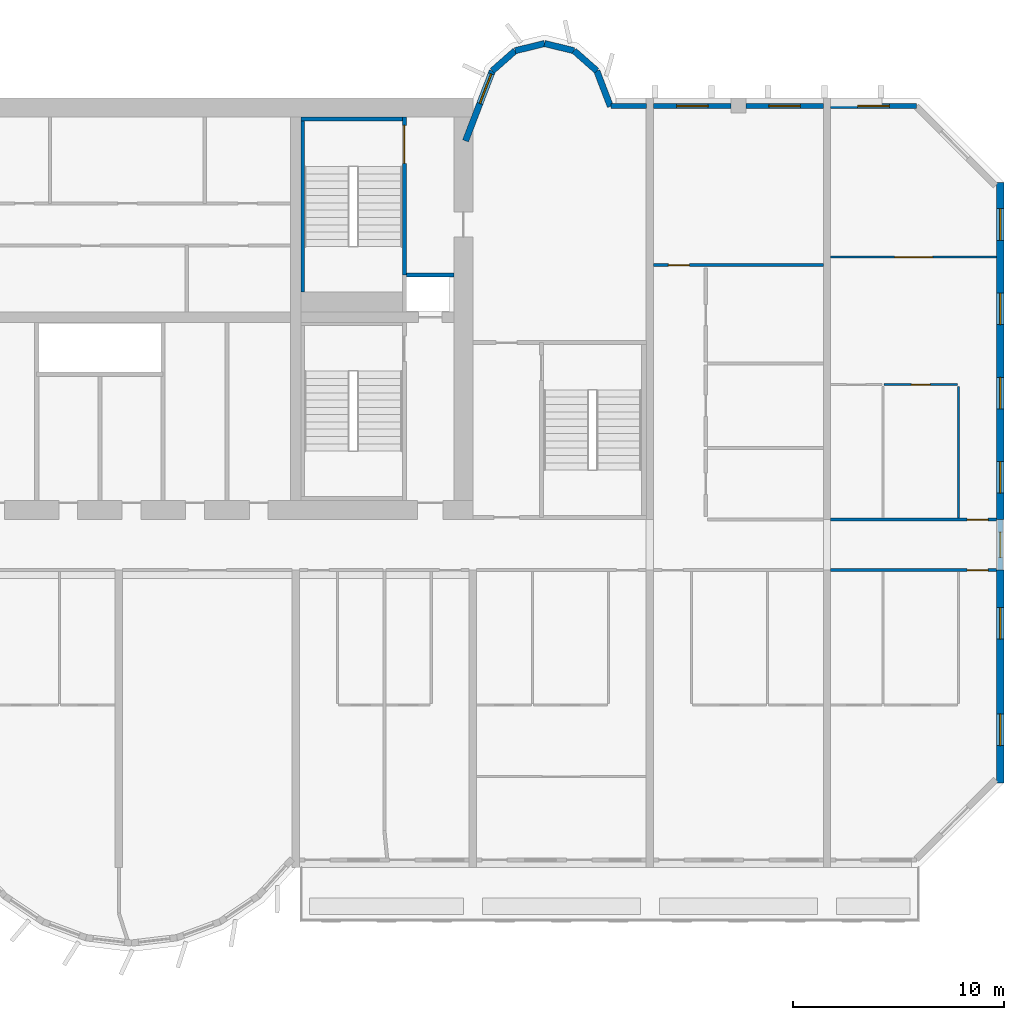
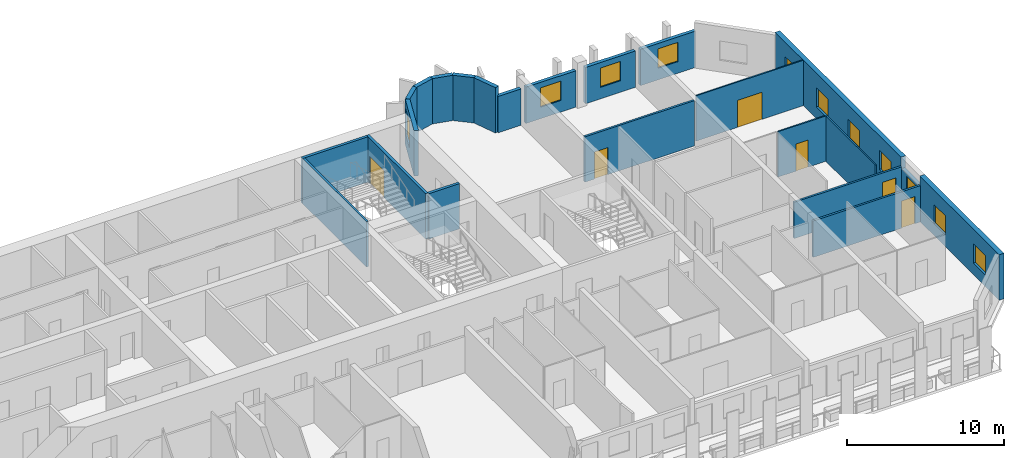
# One storey, part 10 of 14: 23 walls, 11 windows, 6 doors, 17 openings.
"""IFC4 building model written with IfcOpenShell, lengths in metres."""

from ifc_helpers import new_model, si_unit, direction, frame, frame_2d, origin, place, context, subcontext, project, spatial, rectangle, extrude, source, transform, mapped, material, layer, layer_set, type_object, element, fill, save


model = new_model("IFC4")

# Units and contexts
model_context = context("Model", 3, precision=1e-05, world=origin(), true_north=direction((0.0, 1.0)))
body_context = subcontext(model_context, "Body", "Model", "MODEL_VIEW")
ifc_project = project(units=[si_unit("LENGTHUNIT", "METRE"), si_unit("AREAUNIT", "SQUARE_METRE"), si_unit("VOLUMEUNIT", "CUBIC_METRE"), si_unit("PLANEANGLEUNIT", "RADIAN"), si_unit("MASSUNIT", "GRAM", prefix="KILO")], contexts=[model_context])

# Site, building, storey
site_placement = place(None, origin())
site = spatial("IfcSite", under=ifc_project, at=site_placement, CompositionType="ELEMENT")
building_placement = place(site_placement, origin())
building = spatial("IfcBuilding", under=site, at=building_placement, Name="Vanashikhar Sky Hotel", CompositionType="ELEMENT")
storey_placement = place(building_placement, frame((0.0, 0.0, 118.0)))
storey = spatial("IfcBuildingStorey", under=building, at=storey_placement, Name="L28", CompositionType="ELEMENT", Elevation=118.0)

# Wall, openings, windows
ifc_material_1 = material(Name="Concrete M70", Category="concrete")
ifc_layer_1 = layer(ifc_material_1, 0.35009765625)
ifc_layer_set_1 = layer_set([ifc_layer_1], Name="RC shear wall 350 Concrete M70")
wall_type_1 = type_object("IfcWallType", Name="RC shear wall 350 Concrete M70", PredefinedType="SHEAR", material=ifc_layer_set_1)
shared_shape_1 = source(origin(), body_context, "Body", "SweptSolid", [
    extrude(rectangle(XDim=10.10009765625, YDim=0.35009765625, at=frame_2d((5.050048828125, 0.0))), origin(), (0.0, 0.0, 1.0), 3.52001953125),
])
wall_1_placement = place(storey_placement, frame((100.625, 9.5, 0.0), z_axis=(0.0, 0.0, 1.0), x_axis=(0.0, 1.0, 0.0)))
wall_1 = element("IfcWall", 1, at=wall_1_placement, inside=storey, type_object=wall_type_1, Name="CW-L28-XW13-1", PredefinedType="SHEAR", context=body_context, shape_type="MappedRepresentation", body=[
    mapped(shared_shape_1, transform((0.0, 0.0, 0.0), scale=1.0)),
])
shared_shape_2 = source(origin(), body_context, "Body", "SweptSolid", [
    extrude(rectangle(XDim=1.5, YDim=1.5, at=frame_2d((0.75, 0.75))), frame((0.0, 0.18505859375, 0.0), z_axis=(0.0, -1.0, 0.0), x_axis=(1.0, 0.0, 0.0)), (0.0, 0.0, 1.0), 0.3701171875),
])
opening_1_placement = place(wall_1_placement, frame((1.77490234375, 0.0, 0.89990234375)))
opening_1 = element("IfcOpeningElement", 2, at=opening_1_placement, cuts=wall_1, Name="Opening WN-1", PredefinedType="OPENING", context=body_context, shape_type="MappedRepresentation", body=[
    mapped(shared_shape_2, transform((0.0, 0.0, 0.0), scale=1.0)),
])
opening_2_placement = place(wall_1_placement, frame((6.824951171875, 0.0, 0.89990234375)))
opening_2 = element("IfcOpeningElement", 3, at=opening_2_placement, cuts=wall_1, Name="Opening WN-1", PredefinedType="OPENING", context=body_context, shape_type="MappedRepresentation", body=[
    mapped(shared_shape_2, transform((0.0, 0.0, 0.0), scale=1.0)),
])
ifc_material_2 = material(Name="Glass", Category="glass")
window_type_1 = type_object("IfcWindowType", Name="Window 1500 x 1500", PartitioningType="SINGLE_PANEL", PredefinedType="WINDOW", material=ifc_material_2)
shared_shape_3 = source(origin(), body_context, "Body", "SweptSolid", [
    extrude(rectangle(XDim=1.5, YDim=1.5, at=frame_2d((0.75, 0.75))), frame((0.0, 0.030029296875, 0.0), z_axis=(0.0, -1.0, 0.0), x_axis=(1.0, 0.0, 0.0)), (0.0, 0.0, 1.0), 0.06005859375),
])
window_1_placement = place(opening_1_placement, origin())
window_1 = element("IfcWindow", 4, at=window_1_placement, inside=storey, type_object=window_type_1, Name="Window WN-1", OverallHeight=1.5, OverallWidth=1.5, PartitioningType="SINGLE_PANEL", PredefinedType="WINDOW", context=body_context, shape_type="MappedRepresentation", body=[
    mapped(shared_shape_3, transform((0.0, 0.0, 0.0), scale=1.0)),
])
fill(opening_1, window_1)
window_2_placement = place(opening_2_placement, origin())
window_2 = element("IfcWindow", 5, at=window_2_placement, inside=storey, type_object=window_type_1, Name="Window WN-1", OverallHeight=1.5, OverallWidth=1.5, PartitioningType="SINGLE_PANEL", PredefinedType="WINDOW", context=body_context, shape_type="MappedRepresentation", body=[
    mapped(shared_shape_3, transform((0.0, 0.0, 0.0), scale=1.0)),
])
fill(opening_2, window_2)

shared_shape_4 = source(origin(), body_context, "Body", "SweptSolid", [
    extrude(rectangle(XDim=16.0, YDim=0.35009765625, at=frame_2d((8.0, 0.0))), origin(), (0.0, 0.0, 1.0), 3.52001953125),
])
wall_2_placement = place(storey_placement, frame((100.625, 22.0, 0.0), z_axis=(0.0, 0.0, 1.0), x_axis=(0.0, 1.0, 0.0)))
wall_2 = element("IfcWall", 6, at=wall_2_placement, inside=storey, type_object=wall_type_1, Name="CW-L28-XW13-2", PredefinedType="SHEAR", context=body_context, shape_type="MappedRepresentation", body=[
    mapped(shared_shape_4, transform((0.0, 0.0, 0.0), scale=1.0)),
])
opening_3_placement = place(wall_2_placement, frame((1.25, 0.0, 0.89990234375)))
opening_3 = element("IfcOpeningElement", 7, at=opening_3_placement, cuts=wall_2, Name="Opening WN-1", PredefinedType="OPENING", context=body_context, shape_type="MappedRepresentation", body=[
    mapped(shared_shape_2, transform((0.0, 0.0, 0.0), scale=1.0)),
])
opening_4_placement = place(wall_2_placement, frame((5.25, 0.0, 0.89990234375)))
opening_4 = element("IfcOpeningElement", 8, at=opening_4_placement, cuts=wall_2, Name="Opening WN-1", PredefinedType="OPENING", context=body_context, shape_type="MappedRepresentation", body=[
    mapped(shared_shape_2, transform((0.0, 0.0, 0.0), scale=1.0)),
])
opening_5_placement = place(wall_2_placement, frame((9.25, 0.0, 0.89990234375)))
opening_5 = element("IfcOpeningElement", 9, at=opening_5_placement, cuts=wall_2, Name="Opening WN-1", PredefinedType="OPENING", context=body_context, shape_type="MappedRepresentation", body=[
    mapped(shared_shape_2, transform((0.0, 0.0, 0.0), scale=1.0)),
])
opening_6_placement = place(wall_2_placement, frame((13.25, 0.0, 0.89990234375)))
opening_6 = element("IfcOpeningElement", 10, at=opening_6_placement, cuts=wall_2, Name="Opening WN-1", PredefinedType="OPENING", context=body_context, shape_type="MappedRepresentation", body=[
    mapped(shared_shape_2, transform((0.0, 0.0, 0.0), scale=1.0)),
])
window_3_placement = place(opening_3_placement, origin())
window_3 = element("IfcWindow", 11, at=window_3_placement, inside=storey, type_object=window_type_1, Name="Window WN-1", OverallHeight=1.5, OverallWidth=1.5, PartitioningType="SINGLE_PANEL", PredefinedType="WINDOW", context=body_context, shape_type="MappedRepresentation", body=[
    mapped(shared_shape_3, transform((0.0, 0.0, 0.0), scale=1.0)),
])
fill(opening_3, window_3)
window_4_placement = place(opening_4_placement, origin())
window_4 = element("IfcWindow", 12, at=window_4_placement, inside=storey, type_object=window_type_1, Name="Window WN-1", OverallHeight=1.5, OverallWidth=1.5, PartitioningType="SINGLE_PANEL", PredefinedType="WINDOW", context=body_context, shape_type="MappedRepresentation", body=[
    mapped(shared_shape_3, transform((0.0, 0.0, 0.0), scale=1.0)),
])
fill(opening_4, window_4)
window_5_placement = place(opening_5_placement, origin())
window_5 = element("IfcWindow", 13, at=window_5_placement, inside=storey, type_object=window_type_1, Name="Window WN-1", OverallHeight=1.5, OverallWidth=1.5, PartitioningType="SINGLE_PANEL", PredefinedType="WINDOW", context=body_context, shape_type="MappedRepresentation", body=[
    mapped(shared_shape_3, transform((0.0, 0.0, 0.0), scale=1.0)),
])
fill(opening_5, window_5)
window_6_placement = place(opening_6_placement, origin())
window_6 = element("IfcWindow", 14, at=window_6_placement, inside=storey, type_object=window_type_1, Name="Window WN-1", OverallHeight=1.5, OverallWidth=1.5, PartitioningType="SINGLE_PANEL", PredefinedType="WINDOW", context=body_context, shape_type="MappedRepresentation", body=[
    mapped(shared_shape_3, transform((0.0, 0.0, 0.0), scale=1.0)),
])
fill(opening_6, window_6)

# Wall, opening, window
ifc_material_3 = material(Name="Concrete M50", Category="concrete")
ifc_layer_2 = layer(ifc_material_3, 0.300048828125)
ifc_layer_set_2 = layer_set([ifc_layer_2], Name="Lobe wall 300")
wall_type_2 = type_object("IfcWallType", Name="Lobe wall 300", PredefinedType="SOLIDWALL", material=ifc_layer_set_2)
shared_shape_5 = source(origin(), body_context, "Body", "SweptSolid", [
    extrude(rectangle(XDim=3.55908203125, YDim=0.300048828125, at=frame_2d((1.779541015625, 0.0))), origin(), (0.0, 0.0, 1.0), 3.52001953125),
])
wall_3_placement = place(storey_placement, frame((76.5234375, 43.2919921875, 0.0), z_axis=(0.0, 0.0, 1.0), x_axis=(-0.35779745313, -0.933799219604, 0.0)))
wall_3 = element("IfcWall", 15, at=wall_3_placement, inside=storey, type_object=wall_type_2, Name="Lobe wall", PredefinedType="SOLIDWALL", context=body_context, shape_type="MappedRepresentation", body=[
    mapped(shared_shape_5, transform((0.0, 0.0, 0.0), scale=1.0)),
])
shared_shape_6 = source(origin(), body_context, "Body", "SweptSolid", [
    extrude(rectangle(XDim=1.5, YDim=2.0, at=frame_2d((0.75, 1.0))), frame((0.0, 0.16015625, 0.0), z_axis=(0.0, -1.0, 0.0), x_axis=(1.0, 0.0, 0.0)), (0.0, 0.0, 1.0), 0.320068359375),
])
opening_7_placement = place(wall_3_placement, frame((0.156005859375, 0.0, 0.89990234375)))
opening_7 = element("IfcOpeningElement", 16, at=opening_7_placement, cuts=wall_3, Name="Opening WN-2", PredefinedType="OPENING", context=body_context, shape_type="MappedRepresentation", body=[
    mapped(shared_shape_6, transform((0.0, 0.0, 0.0), scale=1.0)),
])
window_type_2 = type_object("IfcWindowType", Name="Lobe window 1500 x 2000", PartitioningType="SINGLE_PANEL", PredefinedType="WINDOW", material=ifc_material_2)
shared_shape_7 = source(origin(), body_context, "Body", "SweptSolid", [
    extrude(rectangle(XDim=1.5, YDim=2.0, at=frame_2d((0.75, 1.0))), frame((0.0, 0.030029296875, 0.0), z_axis=(0.0, -1.0, 0.0), x_axis=(1.0, 0.0, 0.0)), (0.0, 0.0, 1.0), 0.06005859375),
])
window_7_placement = place(opening_7_placement, origin())
window_7 = element("IfcWindow", 17, at=window_7_placement, inside=storey, type_object=window_type_2, Name="Window WN-2", OverallHeight=2.0, OverallWidth=1.5, PartitioningType="SINGLE_PANEL", PredefinedType="WINDOW", context=body_context, shape_type="MappedRepresentation", body=[
    mapped(shared_shape_7, transform((0.0, 0.0, 0.0), scale=1.0)),
])
fill(opening_7, window_7)

# Walls
shared_shape_8 = source(origin(), body_context, "Body", "SweptSolid", [
    extrude(rectangle(XDim=1.438720703125, YDim=0.300048828125, at=frame_2d((0.71923828125, 0.0))), origin(), (0.0, 0.0, 1.0), 3.52001953125),
])
for number, where, z_axis, x_axis, name in (
    (18, (80.397216796875, 44.2451171875, 0.0), (0.0, 0.0, 1.0), (-0.971161932466, 0.238420848351, 0.0), "Lobe wall"),
    (19, (79.0, 44.588134765625, 0.0), (0.0, 0.0, 1.0), (-0.971161932466, -0.238420848351, 0.0), "Lobe wall"),
):
    element("IfcWall", number, at=place(storey_placement, frame(where, z_axis=z_axis, x_axis=x_axis)), inside=storey, type_object=wall_type_2, Name=name, PredefinedType="SOLIDWALL", context=body_context, shape_type="MappedRepresentation", body=[
        mapped(shared_shape_8, transform((0.0, 0.0, 0.0), scale=1.0)),
    ])
shared_shape_9 = source(origin(), body_context, "Body", "SweptSolid", [
    extrude(rectangle(XDim=1.43994140625, YDim=0.300048828125, at=frame_2d((0.719970703125, 0.0))), origin(), (0.0, 0.0, 1.0), 3.52001953125),
])
for number, where, z_axis, x_axis, name in (
    (20, (81.4765625, 43.2919921875, 0.0), (0.0, 0.0, 1.0), (-0.74957555648, 0.661918790432, 0.0), "Lobe wall"),
    (21, (77.602783203125, 44.2451171875, 0.0), (0.0, 0.0, 1.0), (-0.74957555648, -0.661918790432, 0.0), "Lobe wall"),
):
    element("IfcWall", number, at=place(storey_placement, frame(where, z_axis=z_axis, x_axis=x_axis)), inside=storey, type_object=wall_type_2, Name=name, PredefinedType="SOLIDWALL", context=body_context, shape_type="MappedRepresentation", body=[
        mapped(shared_shape_9, transform((0.0, 0.0, 0.0), scale=1.0)),
    ])
shared_shape_10 = source(origin(), body_context, "Body", "SweptSolid", [
    extrude(rectangle(XDim=1.81201171875, YDim=0.300048828125, at=frame_2d((0.906005859375, 0.0))), origin(), (0.0, 0.0, 1.0), 3.52001953125),
])
wall_4_placement = place(storey_placement, frame((82.125, 41.60009765625, 0.0), z_axis=(0.0, 0.0, 1.0), x_axis=(-0.357877270961, 0.93376863244, 0.0)))
element("IfcWall", 22, at=wall_4_placement, inside=storey, type_object=wall_type_2, Name="Lobe wall", PredefinedType="SOLIDWALL", context=body_context, shape_type="MappedRepresentation", body=[
    mapped(shared_shape_10, transform((0.0, 0.0, 0.0), scale=1.0)),
])

# Wall, opening, window
ifc_layer_3 = layer(ifc_material_3, 0.25)
ifc_layer_set_3 = layer_set([ifc_layer_3], Name="Rear and end board-marked wall 250")
wall_type_3 = type_object("IfcWallType", Name="Rear and end board-marked wall 250", PredefinedType="SOLIDWALL", material=ifc_layer_set_3)
shared_shape_11 = source(origin(), body_context, "Body", "SweptSolid", [
    extrude(rectangle(XDim=2.39990234375, YDim=0.25, at=frame_2d((1.199951171875, 0.0))), origin(), (0.0, 0.0, 1.0), 2.6201171875),
])
wall_5_placement = place(storey_placement, frame((100.625, 19.60009765625, 0.0), z_axis=(0.0, 0.0, 1.0), x_axis=(0.0, 1.0, 0.0)))
wall_5 = element("IfcWall", 23, at=wall_5_placement, inside=storey, type_object=wall_type_3, Name="End corridor infill wall", PredefinedType="SOLIDWALL", context=body_context, shape_type="MappedRepresentation", body=[
    mapped(shared_shape_11, transform((0.0, 0.0, 0.0), scale=1.0)),
])
shared_shape_12 = source(origin(), body_context, "Body", "SweptSolid", [
    extrude(rectangle(XDim=1.199951171875, YDim=1.5, at=frame_2d((0.60009765625, 0.75))), frame((0.0, 0.135009765625, 0.0), z_axis=(0.0, -1.0, 0.0), x_axis=(1.0, 0.0, 0.0)), (0.0, 0.0, 1.0), 0.27001953125),
])
opening_8_placement = place(wall_5_placement, frame((0.60009765625, 0.0, 0.89990234375)))
opening_8 = element("IfcOpeningElement", 24, at=opening_8_placement, cuts=wall_5, Name="Opening WN-3", PredefinedType="OPENING", context=body_context, shape_type="MappedRepresentation", body=[
    mapped(shared_shape_12, transform((0.0, 0.0, 0.0), scale=1.0)),
])
window_type_3 = type_object("IfcWindowType", Name="Corridor end window 1200 x 1500", PartitioningType="SINGLE_PANEL", PredefinedType="WINDOW", material=ifc_material_2)
shared_shape_13 = source(origin(), body_context, "Body", "SweptSolid", [
    extrude(rectangle(XDim=1.199951171875, YDim=1.5, at=frame_2d((0.60009765625, 0.75))), frame((0.0, 0.030029296875, 0.0), z_axis=(0.0, -1.0, 0.0), x_axis=(1.0, 0.0, 0.0)), (0.0, 0.0, 1.0), 0.06005859375),
])
window_8_placement = place(opening_8_placement, origin())
window_8 = element("IfcWindow", 25, at=window_8_placement, inside=storey, type_object=window_type_3, Name="Window WN-3", OverallHeight=1.5, OverallWidth=1.199951171875, PartitioningType="SINGLE_PANEL", PredefinedType="WINDOW", context=body_context, shape_type="MappedRepresentation", body=[
    mapped(shared_shape_13, transform((0.0, 0.0, 0.0), scale=1.0)),
])
fill(opening_8, window_8)

shared_shape_14 = source(origin(), body_context, "Body", "SweptSolid", [
    extrude(rectangle(XDim=4.06982421875, YDim=0.25, at=frame_2d((2.034912109375, 0.0))), origin(), (0.0, 0.0, 1.0), 2.820068359375),
])
wall_6_placement = place(storey_placement, frame((96.644775390625, 41.625, 0.0), z_axis=(0.0, 0.0, 1.0), x_axis=(-1.0, 0.0, 0.0)))
wall_6 = element("IfcWall", 26, at=wall_6_placement, inside=storey, type_object=wall_type_3, Name="Rear board-marked wall", PredefinedType="SOLIDWALL", context=body_context, shape_type="MappedRepresentation", body=[
    mapped(shared_shape_14, transform((0.0, 0.0, 0.0), scale=1.0)),
])
shared_shape_15 = source(origin(), body_context, "Body", "SweptSolid", [
    extrude(rectangle(XDim=1.5, YDim=1.5, at=frame_2d((0.75, 0.75))), frame((0.0, 0.135009765625, 0.0), z_axis=(0.0, -1.0, 0.0), x_axis=(1.0, 0.0, 0.0)), (0.0, 0.0, 1.0), 0.27001953125),
])
opening_9_placement = place(wall_6_placement, frame((1.284912109375, 0.0, 0.89990234375)))
opening_9 = element("IfcOpeningElement", 27, at=opening_9_placement, cuts=wall_6, Name="Opening WN-1", PredefinedType="OPENING", context=body_context, shape_type="MappedRepresentation", body=[
    mapped(shared_shape_15, transform((0.0, 0.0, 0.0), scale=1.0)),
])
window_9_placement = place(opening_9_placement, origin())
window_9 = element("IfcWindow", 28, at=window_9_placement, inside=storey, type_object=window_type_1, Name="Window WN-1", OverallHeight=1.5, OverallWidth=1.5, PartitioningType="SINGLE_PANEL", PredefinedType="WINDOW", context=body_context, shape_type="MappedRepresentation", body=[
    mapped(shared_shape_3, transform((0.0, 0.0, 0.0), scale=1.0)),
])
fill(opening_9, window_9)

shared_shape_16 = source(origin(), body_context, "Body", "SweptSolid", [
    extrude(rectangle(XDim=3.675048828125, YDim=0.25, at=frame_2d((1.83740234375, 0.0))), origin(), (0.0, 0.0, 1.0), 2.820068359375),
])
wall_7_placement = place(storey_placement, frame((87.85009765625, 41.625, 0.0), z_axis=(0.0, 0.0, 1.0), x_axis=(-1.0, 0.0, 0.0)))
wall_7 = element("IfcWall", 29, at=wall_7_placement, inside=storey, type_object=wall_type_3, Name="Rear board-marked wall", PredefinedType="SOLIDWALL", context=body_context, shape_type="MappedRepresentation", body=[
    mapped(shared_shape_16, transform((0.0, 0.0, 0.0), scale=1.0)),
])
opening_10_placement = place(wall_7_placement, frame((1.08740234375, 0.0, 0.89990234375)))
opening_10 = element("IfcOpeningElement", 30, at=opening_10_placement, cuts=wall_7, Name="Opening WN-1", PredefinedType="OPENING", context=body_context, shape_type="MappedRepresentation", body=[
    mapped(shared_shape_15, transform((0.0, 0.0, 0.0), scale=1.0)),
])
window_10_placement = place(opening_10_placement, origin())
window_10 = element("IfcWindow", 31, at=window_10_placement, inside=storey, type_object=window_type_1, Name="Window WN-1", OverallHeight=1.5, OverallWidth=1.5, PartitioningType="SINGLE_PANEL", PredefinedType="WINDOW", context=body_context, shape_type="MappedRepresentation", body=[
    mapped(shared_shape_3, transform((0.0, 0.0, 0.0), scale=1.0)),
])
fill(opening_10, window_10)

wall_8_placement = place(storey_placement, frame((92.22509765625, 41.625, 0.0), z_axis=(0.0, 0.0, 1.0), x_axis=(-1.0, 0.0, 0.0)))
wall_8 = element("IfcWall", 32, at=wall_8_placement, inside=storey, type_object=wall_type_3, Name="Rear board-marked wall", PredefinedType="SOLIDWALL", context=body_context, shape_type="MappedRepresentation", body=[
    mapped(shared_shape_16, transform((0.0, 0.0, 0.0), scale=1.0)),
])
opening_11_placement = place(wall_8_placement, frame((1.08740234375, 0.0, 0.89990234375)))
opening_11 = element("IfcOpeningElement", 33, at=opening_11_placement, cuts=wall_8, Name="Opening WN-1", PredefinedType="OPENING", context=body_context, shape_type="MappedRepresentation", body=[
    mapped(shared_shape_15, transform((0.0, 0.0, 0.0), scale=1.0)),
])
window_11_placement = place(opening_11_placement, origin())
window_11 = element("IfcWindow", 34, at=window_11_placement, inside=storey, type_object=window_type_1, Name="Window WN-1", OverallHeight=1.5, OverallWidth=1.5, PartitioningType="SINGLE_PANEL", PredefinedType="WINDOW", context=body_context, shape_type="MappedRepresentation", body=[
    mapped(shared_shape_3, transform((0.0, 0.0, 0.0), scale=1.0)),
])
fill(opening_11, window_11)

# Wall
shared_shape_17 = source(origin(), body_context, "Body", "SweptSolid", [
    extrude(rectangle(XDim=1.682861328125, YDim=0.25, at=frame_2d((0.84130859375, 0.0))), origin(), (0.0, 0.0, 1.0), 2.820068359375),
])
wall_9_placement = place(storey_placement, frame((83.824951171875, 41.625, 0.0), z_axis=(0.0, 0.0, 1.0), x_axis=(-1.0, 0.0, 0.0)))
element("IfcWall", 35, at=wall_9_placement, inside=storey, type_object=wall_type_3, Name="Rear board-marked wall", PredefinedType="SOLIDWALL", context=body_context, shape_type="MappedRepresentation", body=[
    mapped(shared_shape_17, transform((0.0, 0.0, 0.0), scale=1.0)),
])

# Wall, opening, door
ifc_layer_4 = layer(ifc_material_3, 0.199951171875)
ifc_layer_set_4 = layer_set([ifc_layer_4], Name="Stair wall 200")
wall_type_4 = type_object("IfcWallType", Name="Stair wall 200", PredefinedType="SOLIDWALL", material=ifc_layer_set_4)
shared_shape_18 = source(origin(), body_context, "Body", "SweptSolid", [
    extrude(rectangle(XDim=7.5, YDim=0.199951171875, at=frame_2d((3.75, 0.0))), origin(), (0.0, 0.0, 1.0), 3.52001953125),
])
wall_10_placement = place(storey_placement, frame((72.35009765625, 33.60009765625, 0.0), z_axis=(0.0, 0.0, 1.0), x_axis=(0.0, 1.0, 0.0)))
wall_10 = element("IfcWall", 36, at=wall_10_placement, inside=storey, type_object=wall_type_4, Name="Stair wall 200", PredefinedType="SOLIDWALL", context=body_context, shape_type="MappedRepresentation", body=[
    mapped(shared_shape_18, transform((0.0, 0.0, 0.0), scale=1.0)),
])
shared_shape_19 = source(origin(), body_context, "Body", "SweptSolid", [
    extrude(rectangle(XDim=1.800048828125, YDim=2.10009765625, at=frame_2d((0.89990234375, 1.050048828125))), frame((0.0, 0.10986328125, 0.0), z_axis=(0.0, -1.0, 0.0), x_axis=(1.0, 0.0, 0.0)), (0.0, 0.0, 1.0), 0.219970703125),
])
opening_12_placement = place(wall_10_placement, frame((5.300048828125, 0.0, 0.0)))
opening_12 = element("IfcOpeningElement", 37, at=opening_12_placement, cuts=wall_10, Name="Opening DC-1-A", PredefinedType="OPENING", context=body_context, shape_type="MappedRepresentation", body=[
    mapped(shared_shape_19, transform((0.0, 0.0, 0.0), scale=1.0)),
])
ifc_material_4 = material(Name="Steel", Category="steel")
door_type_1 = type_object("IfcDoorType", Name="Stair door 1800 FD120", OperationType="NOTDEFINED", PredefinedType="DOOR", material=ifc_material_4)
shared_shape_20 = source(origin(), body_context, "Body", "SweptSolid", [
    extrude(rectangle(XDim=1.800048828125, YDim=2.10009765625, at=frame_2d((0.89990234375, 1.050048828125))), frame((0.0, 0.02490234375, 0.0), z_axis=(0.0, -1.0, 0.0), x_axis=(1.0, 0.0, 0.0)), (0.0, 0.0, 1.0), 0.050048828125),
])
door_1_placement = place(opening_12_placement, origin())
door_1 = element("IfcDoor", 38, at=door_1_placement, inside=storey, type_object=door_type_1, Name="Stair door 1800 FD120", OperationType="SINGLE_SWING_LEFT", OverallHeight=2.10009765625, OverallWidth=1.800048828125, PredefinedType="DOOR", context=body_context, shape_type="MappedRepresentation", body=[
    mapped(shared_shape_20, transform((0.0, 0.0, 0.0), scale=1.0)),
])
fill(opening_12, door_1)

# Walls
ifc_material_5 = material(Name="Concrete M40", Category="concrete")
ifc_layer_5 = layer(ifc_material_5, 0.199951171875)
ifc_layer_set_5 = layer_set([ifc_layer_5], Name="Shaft wall 200")
wall_type_5 = type_object("IfcWallType", Name="Shaft wall 200", PredefinedType="SOLIDWALL", material=ifc_layer_set_5)
shared_shape_21 = source(origin(), body_context, "Body", "SweptSolid", [
    extrude(rectangle(XDim=2.25, YDim=0.199951171875, at=frame_2d((1.125, 0.0))), origin(), (0.0, 0.0, 1.0), 3.52001953125),
])
wall_11_placement = place(storey_placement, frame((72.449951171875, 33.60009765625, 0.0), z_axis=(0.0, 0.0, 1.0), x_axis=(1.0, 0.0, 0.0)))
element("IfcWall", 39, at=wall_11_placement, inside=storey, type_object=wall_type_5, Name="Shaft wall 200", PredefinedType="SOLIDWALL", context=body_context, shape_type="MappedRepresentation", body=[
    mapped(shared_shape_21, transform((0.0, 0.0, 0.0), scale=1.0)),
])
ifc_layer_6 = layer(ifc_material_3, 0.199951171875)
ifc_layer_set_6 = layer_set([ifc_layer_6], Name="Stair infill wall 200")
wall_type_6 = type_object("IfcWallType", Name="Stair infill wall 200", PredefinedType="SOLIDWALL", material=ifc_layer_set_6)
shared_shape_22 = source(origin(), body_context, "Body", "SweptSolid", [
    extrude(rectangle(XDim=4.800048828125, YDim=0.199951171875, at=frame_2d((2.39990234375, 0.0))), origin(), (0.0, 0.0, 1.0), 3.52001953125),
])
wall_12_placement = place(storey_placement, frame((67.449951171875, 41.0, 0.0), z_axis=(0.0, 0.0, 1.0), x_axis=(1.0, 0.0, 0.0)))
element("IfcWall", 40, at=wall_12_placement, inside=storey, type_object=wall_type_6, Name="Stair infill wall 200", PredefinedType="SOLIDWALL", context=body_context, shape_type="MappedRepresentation", body=[
    mapped(shared_shape_22, transform((0.0, 0.0, 0.0), scale=1.0)),
])
ifc_layer_7 = layer(ifc_material_3, 0.14990234375)
ifc_layer_set_7 = layer_set([ifc_layer_7], Name="Stair infill wall 150")
wall_type_7 = type_object("IfcWallType", Name="Stair infill wall 150", PredefinedType="SOLIDWALL", material=ifc_layer_set_7)
shared_shape_23 = source(origin(), body_context, "Body", "SweptSolid", [
    extrude(rectangle(XDim=8.099853515625, YDim=0.14990234375, at=frame_2d((4.0498046875, 0.0))), origin(), (0.0, 0.0, 1.0), 3.52001953125),
])
wall_13_placement = place(storey_placement, frame((67.52490234375, 32.800048828125, 0.0), z_axis=(0.0, 0.0, 1.0), x_axis=(0.0, 1.0, 0.0)))
element("IfcWall", 41, at=wall_13_placement, inside=storey, type_object=wall_type_7, Name="Stair infill wall 150", PredefinedType="SOLIDWALL", context=body_context, shape_type="MappedRepresentation", body=[
    mapped(shared_shape_23, transform((0.0, 0.0, 0.0), scale=1.0)),
])

# Wall, opening, door
ifc_material_6 = material(Name="Gypsum plasterboard partition")
ifc_layer_8 = layer(ifc_material_6, 0.10009765625)
ifc_layer_set_8 = layer_set([ifc_layer_8], Name="Wet room partition 100")
wall_type_8 = type_object("IfcWallType", Name="Wet room partition 100", PredefinedType="PARTITIONING", material=ifc_layer_set_8)
shared_shape_24 = source(origin(), body_context, "Body", "SweptSolid", [
    extrude(rectangle(XDim=3.5, YDim=0.10009765625, at=frame_2d((1.75, 0.0))), origin(), (0.0, 0.0, 1.0), 3.52001953125),
])
wall_14_placement = place(storey_placement, frame((95.10009765625, 28.39990234375, 0.0), z_axis=(0.0, 0.0, 1.0), x_axis=(1.0, 0.0, 0.0)))
wall_14 = element("IfcWall", 42, at=wall_14_placement, inside=storey, type_object=wall_type_8, Name="W-L28-PW080", PredefinedType="PARTITIONING", context=body_context, shape_type="MappedRepresentation", body=[
    mapped(shared_shape_24, transform((0.0, 0.0, 0.0), scale=1.0)),
])
shared_shape_25 = source(origin(), body_context, "Body", "SweptSolid", [
    extrude(rectangle(XDim=0.89990234375, YDim=2.10009765625, at=frame_2d((0.449951171875, 1.050048828125))), frame((0.0, 0.06005859375, 0.0), z_axis=(0.0, -1.0, 0.0), x_axis=(1.0, 0.0, 0.0)), (0.0, 0.0, 1.0), 0.1201171875),
])
opening_13_placement = place(wall_14_placement, frame((1.300048828125, 0.0, 0.0)))
opening_13 = element("IfcOpeningElement", 43, at=opening_13_placement, cuts=wall_14, Name="Opening D-02", PredefinedType="OPENING", context=body_context, shape_type="MappedRepresentation", body=[
    mapped(shared_shape_25, transform((0.0, 0.0, 0.0), scale=1.0)),
])
ifc_material_7 = material(Name="Timber door", Category="wood")
door_type_2 = type_object("IfcDoorType", Name="Internal door 900", OperationType="NOTDEFINED", PredefinedType="DOOR", material=ifc_material_7)
shared_shape_26 = source(origin(), body_context, "Body", "SweptSolid", [
    extrude(rectangle(XDim=0.89990234375, YDim=2.10009765625, at=frame_2d((0.449951171875, 1.050048828125))), frame((0.0, 0.02490234375, 0.0), z_axis=(0.0, -1.0, 0.0), x_axis=(1.0, 0.0, 0.0)), (0.0, 0.0, 1.0), 0.050048828125),
])
door_2_placement = place(opening_13_placement, origin())
door_2 = element("IfcDoor", 44, at=door_2_placement, inside=storey, type_object=door_type_2, Name="D-L28-047", OperationType="SINGLE_SWING_RIGHT", OverallHeight=2.10009765625, OverallWidth=0.89990234375, PredefinedType="DOOR", context=body_context, shape_type="MappedRepresentation", body=[
    mapped(shared_shape_26, transform((0.0, 0.0, 0.0), scale=1.0)),
])
fill(opening_13, door_2)

# Wall
shared_shape_27 = source(origin(), body_context, "Body", "SweptSolid", [
    extrude(rectangle(XDim=6.25, YDim=0.10009765625, at=frame_2d((3.125, 0.0))), origin(), (0.0, 0.0, 1.0), 3.52001953125),
])
wall_15_placement = place(storey_placement, frame((98.64990234375, 22.074951171875, 0.0), z_axis=(0.0, 0.0, 1.0), x_axis=(0.0, 1.0, 0.0)))
element("IfcWall", 45, at=wall_15_placement, inside=storey, type_object=wall_type_8, Name="W-L28-PW078", PredefinedType="PARTITIONING", context=body_context, shape_type="MappedRepresentation", body=[
    mapped(shared_shape_27, transform((0.0, 0.0, 0.0), scale=1.0)),
])

# Wall, opening, door
ifc_layer_9 = layer(ifc_material_6, 0.14990234375)
ifc_layer_set_9 = layer_set([ifc_layer_9], Name="Corridor and demising partition 150")
wall_type_9 = type_object("IfcWallType", Name="Corridor and demising partition 150", PredefinedType="PARTITIONING", material=ifc_layer_set_9)
shared_shape_28 = source(origin(), body_context, "Body", "SweptSolid", [
    extrude(rectangle(XDim=8.050048828125, YDim=0.14990234375, at=frame_2d((4.02490234375, 0.0))), origin(), (0.0, 0.0, 1.0), 3.52001953125),
])
wall_16_placement = place(storey_placement, frame((84.175048828125, 34.074951171875, 0.0), z_axis=(0.0, 0.0, 1.0), x_axis=(1.0, 0.0, 0.0)))
wall_16 = element("IfcWall", 46, at=wall_16_placement, inside=storey, type_object=wall_type_9, Name="W-L28-PW077", PredefinedType="PARTITIONING", context=body_context, shape_type="MappedRepresentation", body=[
    mapped(shared_shape_28, transform((0.0, 0.0, 0.0), scale=1.0)),
])
shared_shape_29 = source(origin(), body_context, "Body", "SweptSolid", [
    extrude(rectangle(XDim=1.0, YDim=2.10009765625, at=frame_2d((0.5, 1.050048828125))), frame((0.0, 0.0849609375, 0.0), z_axis=(0.0, -1.0, 0.0), x_axis=(1.0, 0.0, 0.0)), (0.0, 0.0, 1.0), 0.169921875),
])
opening_14_placement = place(wall_16_placement, frame((0.699951171875, 0.0, 0.0)))
opening_14 = element("IfcOpeningElement", 47, at=opening_14_placement, cuts=wall_16, Name="Opening D-01", PredefinedType="OPENING", context=body_context, shape_type="MappedRepresentation", body=[
    mapped(shared_shape_29, transform((0.0, 0.0, 0.0), scale=1.0)),
])
ifc_material_8 = material(Name="Timber fire door", Category="wood")
door_type_3 = type_object("IfcDoorType", Name="Guest entry door 1000 FD30S", OperationType="NOTDEFINED", PredefinedType="DOOR", material=ifc_material_8)
shared_shape_30 = source(origin(), body_context, "Body", "SweptSolid", [
    extrude(rectangle(XDim=1.0, YDim=2.10009765625, at=frame_2d((0.5, 1.050048828125))), frame((0.0, 0.02490234375, 0.0), z_axis=(0.0, -1.0, 0.0), x_axis=(1.0, 0.0, 0.0)), (0.0, 0.0, 1.0), 0.050048828125),
])
door_3_placement = place(opening_14_placement, origin())
door_3 = element("IfcDoor", 48, at=door_3_placement, inside=storey, type_object=door_type_3, Name="D-L28-046", OperationType="SINGLE_SWING_LEFT", OverallHeight=2.10009765625, OverallWidth=1.0, PredefinedType="DOOR", context=body_context, shape_type="MappedRepresentation", body=[
    mapped(shared_shape_30, transform((0.0, 0.0, 0.0), scale=1.0)),
])
fill(opening_14, door_3)

shared_shape_31 = source(origin(), body_context, "Body", "SweptSolid", [
    extrude(rectangle(XDim=7.875, YDim=0.14990234375, at=frame_2d((3.9375, 0.0))), origin(), (0.0, 0.0, 1.0), 2.820068359375),
])
wall_17_placement = place(storey_placement, frame((92.574951171875, 19.60009765625, 0.0), z_axis=(0.0, 0.0, 1.0), x_axis=(1.0, 0.0, 0.0)))
wall_17 = element("IfcWall", 49, at=wall_17_placement, inside=storey, type_object=wall_type_9, Name="W-L28-PW056", PredefinedType="PARTITIONING", context=body_context, shape_type="MappedRepresentation", body=[
    mapped(shared_shape_31, transform((0.0, 0.0, 0.0), scale=1.0)),
])
opening_15_placement = place(wall_17_placement, frame((6.47509765625, 0.0, 0.0)))
opening_15 = element("IfcOpeningElement", 50, at=opening_15_placement, cuts=wall_17, Name="Opening D-01", PredefinedType="OPENING", context=body_context, shape_type="MappedRepresentation", body=[
    mapped(shared_shape_29, transform((0.0, 0.0, 0.0), scale=1.0)),
])
door_4_placement = place(opening_15_placement, origin())
door_4 = element("IfcDoor", 51, at=door_4_placement, inside=storey, type_object=door_type_3, Name="D-L28-035", OperationType="SINGLE_SWING_RIGHT", OverallHeight=2.10009765625, OverallWidth=1.0, PredefinedType="DOOR", context=body_context, shape_type="MappedRepresentation", body=[
    mapped(shared_shape_30, transform((0.0, 0.0, 0.0), scale=1.0)),
])
fill(opening_15, door_4)

wall_18_placement = place(storey_placement, frame((92.574951171875, 22.0, 0.0), z_axis=(0.0, 0.0, 1.0), x_axis=(1.0, 0.0, 0.0)))
wall_18 = element("IfcWall", 52, at=wall_18_placement, inside=storey, type_object=wall_type_9, Name="W-L28-PW083", PredefinedType="PARTITIONING", context=body_context, shape_type="MappedRepresentation", body=[
    mapped(shared_shape_31, transform((0.0, 0.0, 0.0), scale=1.0)),
])
opening_16_placement = place(wall_18_placement, frame((6.47509765625, 0.0, 0.0)))
opening_16 = element("IfcOpeningElement", 53, at=opening_16_placement, cuts=wall_18, Name="Opening D-01", PredefinedType="OPENING", context=body_context, shape_type="MappedRepresentation", body=[
    mapped(shared_shape_29, transform((0.0, 0.0, 0.0), scale=1.0)),
])
door_5_placement = place(opening_16_placement, origin())
door_5 = element("IfcDoor", 54, at=door_5_placement, inside=storey, type_object=door_type_3, Name="D-L28-050", OperationType="SINGLE_SWING_RIGHT", OverallHeight=2.10009765625, OverallWidth=1.0, PredefinedType="DOOR", context=body_context, shape_type="MappedRepresentation", body=[
    mapped(shared_shape_30, transform((0.0, 0.0, 0.0), scale=1.0)),
])
fill(opening_16, door_5)

shared_shape_32 = source(origin(), body_context, "Body", "SweptSolid", [
    extrude(rectangle(XDim=7.875, YDim=0.10009765625, at=frame_2d((3.9375, 0.0))), origin(), (0.0, 0.0, 1.0), 3.52001953125),
])
wall_19_placement = place(storey_placement, frame((92.574951171875, 34.452880859375, 0.0), z_axis=(0.0, 0.0, 1.0), x_axis=(1.0, 0.0, 0.0)))
wall_19 = element("IfcWall", 55, at=wall_19_placement, inside=storey, type_object=wall_type_8, Name="W-L28-PW082", PredefinedType="PARTITIONING", context=body_context, shape_type="MappedRepresentation", body=[
    mapped(shared_shape_32, transform((0.0, 0.0, 0.0), scale=1.0)),
])
shared_shape_33 = source(origin(), body_context, "Body", "SweptSolid", [
    extrude(rectangle(XDim=1.800048828125, YDim=2.10009765625, at=frame_2d((0.89990234375, 1.050048828125))), frame((0.0, 0.06005859375, 0.0), z_axis=(0.0, -1.0, 0.0), x_axis=(1.0, 0.0, 0.0)), (0.0, 0.0, 1.0), 0.1201171875),
])
opening_17_placement = place(wall_19_placement, frame((3.037109375, 0.0, 0.0)))
opening_17 = element("IfcOpeningElement", 56, at=opening_17_placement, cuts=wall_19, Name="Opening D-08", PredefinedType="OPENING", context=body_context, shape_type="MappedRepresentation", body=[
    mapped(shared_shape_33, transform((0.0, 0.0, 0.0), scale=1.0)),
])
door_type_4 = type_object("IfcDoorType", Name="Double leaf door 1800", OperationType="NOTDEFINED", PredefinedType="DOOR", material=ifc_material_7)
door_6_placement = place(opening_17_placement, origin())
door_6 = element("IfcDoor", 57, at=door_6_placement, inside=storey, type_object=door_type_4, Name="D-L28-049", OperationType="DOUBLE_DOOR_SINGLE_SWING", OverallHeight=2.10009765625, OverallWidth=1.800048828125, PredefinedType="DOOR", context=body_context, shape_type="MappedRepresentation", body=[
    mapped(shared_shape_20, transform((0.0, 0.0, 0.0), scale=1.0)),
])
fill(opening_17, door_6)

save(model, "model.ifc")
